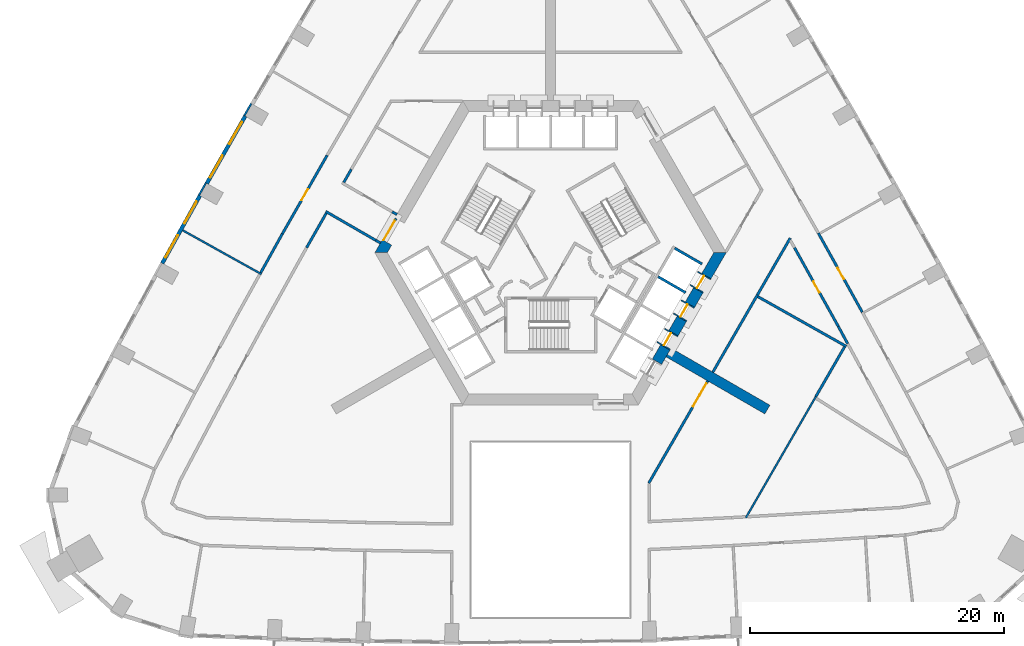
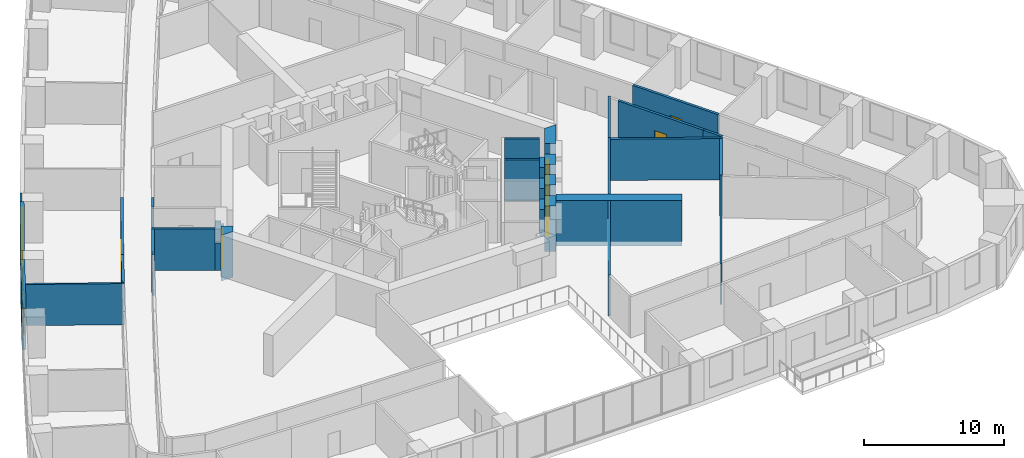
# One storey, part 7 of 15: 33 walls, 9 doors, 4 windows, 13 openings.
"""IFC4 building model written with IfcOpenShell, lengths in metres."""

from ifc_helpers import new_model, si_unit, direction, frame, frame_2d, origin, place, context, subcontext, project, spatial, polyline, rectangle, outline, extrude, material, layer, layer_set, type_object, element, fill, save


model = new_model("IFC4")

# Units and contexts
model_context = context("Model", 3, precision=1e-05, world=origin(), true_north=direction((0.0, 1.0)))
body_context = subcontext(model_context, "Body", "Model", "MODEL_VIEW")
ifc_project = project(units=[si_unit("LENGTHUNIT", "METRE"), si_unit("AREAUNIT", "SQUARE_METRE"), si_unit("VOLUMEUNIT", "CUBIC_METRE"), si_unit("PLANEANGLEUNIT", "RADIAN"), si_unit("MASSUNIT", "GRAM", prefix="KILO")], contexts=[model_context])

# Site, building, storey
site_placement = place(None, origin())
site = spatial("IfcSite", under=ifc_project, at=site_placement, CompositionType="ELEMENT")
building_placement = place(site_placement, origin())
building = spatial("IfcBuilding", under=site, at=building_placement, Name="Entoto Arch Interchange Tower", CompositionType="ELEMENT")
storey_placement = place(building_placement, frame((0.0, 0.0, 128.60009765625)))
storey = spatial("IfcBuildingStorey", under=building, at=storey_placement, Name="L28", CompositionType="ELEMENT", Elevation=128.60009765625)

# Wall
ifc_material_1 = material(Name="Concrete C60/75", Category="concrete")
ifc_layer_1 = layer(ifc_material_1, 0.800048828125)
ifc_layer_set_1 = layer_set([ifc_layer_1], Name="Concrete C60/75")
wall_type_1 = type_object("IfcWallType", Name="Buttress wall 800 C60/75", PredefinedType="SHEAR", material=ifc_layer_set_1)
wall_1_placement = place(storey_placement, frame((9.31005859375, -5.375, -0.400146484375), z_axis=(0.0, 0.0, 1.0), x_axis=(0.866017533419, -0.500013631625, 0.0)))
element("IfcWall", 1, at=wall_1_placement, inside=storey, type_object=wall_type_1, Name="Buttress wall SE L28", PredefinedType="SHEAR", context=body_context, shape_type="SweptSolid", body=[
    extrude(rectangle(XDim=8.999755859375, YDim=0.800048828125, at=frame_2d((4.5, 0.0))), origin(), (0.0, 0.0, 1.0), 4.0),
])

# Wall, opening, door
ifc_material_2 = material(Name="Reinforced concrete C40/50", Category="concrete")
ifc_layer_2 = layer(ifc_material_2, 0.199951171875)
ifc_layer_set_2 = layer_set([ifc_layer_2], Name="Reinforced concrete C40/50")
wall_type_2 = type_object("IfcWallType", Name="CORE GAP INFILL WALL", PredefinedType="PARTITIONING", material=ifc_layer_set_2)
wall_2_placement = place(storey_placement, frame((-12.179931640625, 5.201904296875, 0.0), z_axis=(0.0, 0.0, 1.0), x_axis=(-0.50002537861, -0.866010750942, 0.0)))
wall_2 = element("IfcWall", 2, at=wall_2_placement, inside=storey, type_object=wall_type_2, Name="wall:L28:gap3", PredefinedType="PARTITIONING", context=body_context, shape_type="SweptSolid", body=[
    extrude(rectangle(XDim=2.0, YDim=0.199951171875, at=frame_2d((1.0, 0.0))), origin(), (0.0, 0.0, 1.0), 2.39990234375),
])
opening_1_placement = place(wall_2_placement, frame((0.18994140625, 0.0, 0.0)))
opening_1 = element("IfcOpeningElement", 3, at=opening_1_placement, cuts=wall_2, Name="Opening L28-D93", PredefinedType="OPENING", context=body_context, shape_type="SweptSolid", body=[
    extrude(rectangle(XDim=1.800048828125, YDim=2.10009765625, at=frame_2d((0.89990234375, 1.050048828125))), frame((0.0, 0.10986328125, 0.0), z_axis=(0.0, -1.0, 0.0), x_axis=(1.0, 0.0, 0.0)), (0.0, 0.0, 1.0), 0.219970703125),
])
ifc_material_3 = material(Name="Fire-rated Steel S235 door and frame", Category="steel")
door_type_1 = type_object("IfcDoorType", Name="DOOR FD-18 1800x2100", OperationType="DOUBLE_DOOR_SINGLE_SWING", PredefinedType="DOOR", material=ifc_material_3)
door_1_placement = place(opening_1_placement, origin())
door_1 = element("IfcDoor", 4, at=door_1_placement, inside=storey, type_object=door_type_1, Name="door:L28:gap3", OperationType="DOUBLE_DOOR_SINGLE_SWING", OverallHeight=2.10009765625, OverallWidth=1.800048828125, PredefinedType="DOOR", context=body_context, shape_type="SweptSolid", body=[
    extrude(rectangle(XDim=1.800048828125, YDim=2.10009765625, at=frame_2d((0.89990234375, 1.050048828125))), frame((0.0, 0.02490234375, 0.0), z_axis=(0.0, -1.0, 0.0), x_axis=(1.0, 0.0, 0.0)), (0.0, 0.0, 1.0), 0.050048828125),
])
fill(opening_1, door_1)

# Walls
ifc_layer_3 = layer(ifc_material_1, 0.85009765625)
ifc_layer_set_3 = layer_set([ifc_layer_3], Name="Concrete C60/75")
wall_type_3 = type_object("IfcWallType", Name="Core wall 850 C60/75", PredefinedType="SHEAR", material=ifc_layer_set_3)
wall_3_placement = place(storey_placement, frame((0.0, 0.0, -0.400146484375)))
element("IfcWall", 5, at=wall_3_placement, inside=storey, type_object=wall_type_3, Name="Core wall NW L28", PredefinedType="SHEAR", context=body_context, shape_type="SweptSolid", body=[
    extrude(outline(polyline([(-12.531005859375, 3.094970703125), (-13.26708984375, 3.52001953125), (-13.85595703125, 2.5), (-12.875, 2.5), (-12.531005859375, 3.094970703125)])), origin(), (0.0, 0.0, 1.0), 4.0),
])
wall_4_placement = place(storey_placement, frame((0.0, 0.0, -0.400146484375)))
element("IfcWall", 6, at=wall_4_placement, inside=storey, type_object=wall_type_3, Name="Core wall SE L28", PredefinedType="SHEAR", context=body_context, shape_type="SweptSolid", body=[
    extrude(outline(polyline([(9.4169921875, -5.18896484375), (8.680908203125, -4.763916015625), (8.031005859375, -5.888916015625), (8.76708984375, -6.31396484375), (9.4169921875, -5.18896484375)])), origin(), (0.0, 0.0, 1.0), 4.0),
])
wall_5_placement = place(storey_placement, frame((0.0, 0.0, -0.400146484375)))
element("IfcWall", 7, at=wall_5_placement, inside=storey, type_object=wall_type_3, Name="Core wall SE L28", PredefinedType="SHEAR", context=body_context, shape_type="SweptSolid", body=[
    extrude(outline(polyline([(10.717041015625, -2.93701171875), (9.98095703125, -2.511962890625), (9.3310546875, -3.637939453125), (10.06689453125, -4.06298828125), (10.717041015625, -2.93701171875)])), origin(), (0.0, 0.0, 1.0), 4.0),
])
wall_6_placement = place(storey_placement, frame((0.0, 0.0, -0.400146484375)))
element("IfcWall", 8, at=wall_6_placement, inside=storey, type_object=wall_type_3, Name="Core wall SE L28", PredefinedType="SHEAR", context=body_context, shape_type="SweptSolid", body=[
    extrude(outline(polyline([(12.01708984375, -0.68603515625), (11.281005859375, -0.260986328125), (10.631103515625, -1.385986328125), (11.366943359375, -1.81103515625), (12.01708984375, -0.68603515625)])), origin(), (0.0, 0.0, 1.0), 4.0),
])
wall_7_placement = place(storey_placement, frame((0.0, 0.0, -0.400146484375)))
element("IfcWall", 9, at=wall_7_placement, inside=storey, type_object=wall_type_3, Name="Core wall SE L28", PredefinedType="SHEAR", context=body_context, shape_type="SweptSolid", body=[
    extrude(outline(polyline([(11.930908203125, 0.864990234375), (12.6669921875, 0.43994140625), (13.85595703125, 2.5), (12.875, 2.5), (11.930908203125, 0.864990234375)])), origin(), (0.0, 0.0, 1.0), 4.0),
])

# Wall, opening, door
ifc_material_4 = material(Name="Concrete C40/50", Category="concrete")
ifc_layer_4 = layer(ifc_material_4, 1.199951171875)
ifc_layer_set_4 = layer_set([ifc_layer_4], Name="Concrete C40/50")
wall_type_4 = type_object("IfcWallType", Name="LIFT LANDING INFILL WALL", PredefinedType="STANDARD", material=ifc_layer_set_4)
wall_8_placement = place(storey_placement, frame((8.89794921875, -4.888916015625, 0.0), z_axis=(0.0, 0.0, 1.0), x_axis=(0.500036693733, 0.866004217611, 0.0)))
wall_8 = element("IfcWall", 10, at=wall_8_placement, inside=storey, type_object=wall_type_4, Name="Lift landing infill wall LR6 L28", PredefinedType="STANDARD", context=body_context, shape_type="SweptSolid", body=[
    extrude(rectangle(XDim=1.30029296875, YDim=1.199951171875, at=frame_2d((0.650146484375, 0.0))), origin(), (0.0, 0.0, 1.0), 2.39990234375),
])
opening_2_placement = place(wall_8_placement, frame((0.10009765625, 0.0, 0.0)))
opening_2 = element("IfcOpeningElement", 11, at=opening_2_placement, cuts=wall_8, Name="Opening LD-LR6-L28", PredefinedType="OPENING", context=body_context, shape_type="SweptSolid", body=[
    extrude(rectangle(XDim=1.10009765625, YDim=2.300048828125, at=frame_2d((0.550048828125, 1.14990234375))), frame((0.0, 0.60986328125, 0.0), z_axis=(0.0, -1.0, 0.0), x_axis=(1.0, 0.0, 0.0)), (0.0, 0.0, 1.0), 1.219970703125),
])
ifc_material_5 = material(Name="Stainless steel 1.4301 panels", Category="steel")
door_type_2 = type_object("IfcDoorType", Name="LIFT LANDING DOOR LD2 1100x2300", OperationType="SLIDING_TO_LEFT", PredefinedType="DOOR", material=ifc_material_5)
door_2_placement = place(opening_2_placement, origin())
door_2 = element("IfcDoor", 12, at=door_2_placement, inside=storey, type_object=door_type_2, Name="Lift landing door LR6 L28", OperationType="SLIDING_TO_LEFT", OverallHeight=2.300048828125, OverallWidth=1.10009765625, PredefinedType="DOOR", context=body_context, shape_type="SweptSolid", body=[
    extrude(rectangle(XDim=1.10009765625, YDim=2.300048828125, at=frame_2d((0.550048828125, 1.14990234375))), frame((0.0, 0.02490234375, 0.0), z_axis=(0.0, -1.0, 0.0), x_axis=(1.0, 0.0, 0.0)), (0.0, 0.0, 1.0), 0.050048828125),
])
fill(opening_2, door_2)

wall_9_placement = place(storey_placement, frame((10.197998046875, -2.636962890625, 0.0), z_axis=(0.0, 0.0, 1.0), x_axis=(0.49989585183, 0.866085525409, 0.0)))
wall_9 = element("IfcWall", 13, at=wall_9_placement, inside=storey, type_object=wall_type_4, Name="Lift landing infill wall LR7 L28", PredefinedType="STANDARD", context=body_context, shape_type="SweptSolid", body=[
    extrude(rectangle(XDim=1.300048828125, YDim=1.199951171875, at=frame_2d((0.64990234375, 0.0))), origin(), (0.0, 0.0, 1.0), 2.39990234375),
])
opening_3_placement = place(wall_9_placement, frame((0.10009765625, 0.0, 0.0)))
opening_3 = element("IfcOpeningElement", 14, at=opening_3_placement, cuts=wall_9, Name="Opening LD-LR7-L28", PredefinedType="OPENING", context=body_context, shape_type="SweptSolid", body=[
    extrude(rectangle(XDim=1.10009765625, YDim=2.300048828125, at=frame_2d((0.550048828125, 1.14990234375))), frame((0.0, 0.60986328125, 0.0), z_axis=(0.0, -1.0, 0.0), x_axis=(1.0, 0.0, 0.0)), (0.0, 0.0, 1.0), 1.219970703125),
])
door_3_placement = place(opening_3_placement, origin())
door_3 = element("IfcDoor", 15, at=door_3_placement, inside=storey, type_object=door_type_2, Name="Lift landing door LR7 L28", OperationType="SLIDING_TO_LEFT", OverallHeight=2.300048828125, OverallWidth=1.10009765625, PredefinedType="DOOR", context=body_context, shape_type="SweptSolid", body=[
    extrude(rectangle(XDim=1.10009765625, YDim=2.300048828125, at=frame_2d((0.550048828125, 1.14990234375))), frame((0.0, 0.02490234375, 0.0), z_axis=(0.0, -1.0, 0.0), x_axis=(1.0, 0.0, 0.0)), (0.0, 0.0, 1.0), 0.050048828125),
])
fill(opening_3, door_3)

wall_10_placement = place(storey_placement, frame((11.498046875, -0.385009765625, 0.0), z_axis=(0.0, 0.0, 1.0), x_axis=(0.500221244143, 0.865897630733, 0.0)))
wall_10 = element("IfcWall", 16, at=wall_10_placement, inside=storey, type_object=wall_type_4, Name="Lift landing infill wall LR8 L28", PredefinedType="STANDARD", context=body_context, shape_type="SweptSolid", body=[
    extrude(rectangle(XDim=1.29931640625, YDim=1.199951171875, at=frame_2d((0.649658203125, 0.0))), origin(), (0.0, 0.0, 1.0), 2.39990234375),
])
opening_4_placement = place(wall_10_placement, frame((0.10009765625, 0.0, 0.0)))
opening_4 = element("IfcOpeningElement", 17, at=opening_4_placement, cuts=wall_10, Name="Opening LD-LR8-L28", PredefinedType="OPENING", context=body_context, shape_type="SweptSolid", body=[
    extrude(rectangle(XDim=1.10009765625, YDim=2.300048828125, at=frame_2d((0.550048828125, 1.14990234375))), frame((0.0, 0.60986328125, 0.0), z_axis=(0.0, -1.0, 0.0), x_axis=(1.0, 0.0, 0.0)), (0.0, 0.0, 1.0), 1.219970703125),
])
door_4_placement = place(opening_4_placement, origin())
door_4 = element("IfcDoor", 18, at=door_4_placement, inside=storey, type_object=door_type_2, Name="Lift landing door LR8 L28", OperationType="SLIDING_TO_LEFT", OverallHeight=2.300048828125, OverallWidth=1.10009765625, PredefinedType="DOOR", context=body_context, shape_type="SweptSolid", body=[
    extrude(rectangle(XDim=1.10009765625, YDim=2.300048828125, at=frame_2d((0.550048828125, 1.14990234375))), frame((0.0, 0.02490234375, 0.0), z_axis=(0.0, -1.0, 0.0), x_axis=(1.0, 0.0, 0.0)), (0.0, 0.0, 1.0), 0.050048828125),
])
fill(opening_4, door_4)

# Walls
ifc_layer_5 = layer(ifc_material_4, 0.199951171875)
ifc_layer_set_5 = layer_set([ifc_layer_5], Name="Concrete C40/50")
wall_type_5 = type_object("IfcWallType", Name="LIFT SHAFT WALL 200", PredefinedType="STANDARD", material=ifc_layer_set_5)
wall_11_placement = place(storey_placement, frame((8.488037109375, 0.60205078125, 0.0), z_axis=(0.0, 0.0, 1.0), x_axis=(0.866022959057, -0.500004234368, 0.0)))
element("IfcWall", 19, at=wall_11_placement, inside=storey, type_object=wall_type_5, Name="Shaft wall SE3 cross 4", PredefinedType="STANDARD", context=body_context, shape_type="SweptSolid", body=[
    extrude(rectangle(XDim=2.5, YDim=0.199951171875, at=frame_2d((1.25, 0.0))), origin(), (0.0, 0.0, 1.0), 3.599853515625),
])
wall_12_placement = place(storey_placement, frame((9.7880859375, 2.85302734375, 0.0), z_axis=(0.0, 0.0, 1.0), x_axis=(0.865998541277, -0.500046524342, 0.0)))
element("IfcWall", 20, at=wall_12_placement, inside=storey, type_object=wall_type_5, Name="Shaft wall SE3 cross 5", PredefinedType="STANDARD", context=body_context, shape_type="SweptSolid", body=[
    extrude(rectangle(XDim=2.499755859375, YDim=0.199951171875, at=frame_2d((1.25, 0.0))), origin(), (0.0, 0.0, 1.0), 3.599853515625),
])
ifc_material_6 = material(Name="Gypsum board partition on steel studs", Category="steel")
ifc_layer_6 = layer(ifc_material_6, 0.14990234375)
ifc_layer_set_6 = layer_set([ifc_layer_6], Name="Gypsum board partition on steel studs")
wall_type_6 = type_object("IfcWallType", Name="PARTITION 150", PredefinedType="PARTITIONING", material=ifc_layer_set_6)
wall_13_placement = place(storey_placement, frame((20.924072265625, -8.85791015625, 0.0), z_axis=(0.0, 0.0, 1.0), x_axis=(-0.499996828157, -0.866027235041, 0.0)))
element("IfcWall", 21, at=wall_13_placement, inside=storey, type_object=wall_type_6, Name="wall:L28:p130", PredefinedType="PARTITIONING", context=body_context, shape_type="SweptSolid", body=[
    extrude(rectangle(XDim=11.0400390625, YDim=0.14990234375, at=frame_2d((5.52001953125, 0.0))), origin(), (0.0, 0.0, 1.0), 3.599853515625),
])
wall_14_placement = place(storey_placement, frame((-22.80810546875, 0.80810546875, 0.0), z_axis=(0.0, 0.0, 1.0), x_axis=(-0.873839159938, 0.486215099066, 0.0)))
element("IfcWall", 22, at=wall_14_placement, inside=storey, type_object=wall_type_6, Name="wall:L28:p148", PredefinedType="PARTITIONING", context=body_context, shape_type="SweptSolid", body=[
    extrude(rectangle(XDim=7.099609375, YDim=0.14990234375, at=frame_2d((3.5498046875, 0.0))), origin(), (0.0, 0.0, 1.0), 3.599853515625),
])
ifc_layer_7 = layer(ifc_material_6, 0.199951171875)
ifc_layer_set_7 = layer_set([ifc_layer_7], Name="Gypsum board partition on steel studs")
wall_type_7 = type_object("IfcWallType", Name="PARTITION 200", PredefinedType="PARTITIONING", material=ifc_layer_set_7)
wall_15_placement = place(storey_placement, frame((-15.717041015625, 9.074951171875, 0.0), z_axis=(0.0, 0.0, 1.0), x_axis=(-0.495695496657, -0.868496387208, 0.0)))
element("IfcWall", 23, at=wall_15_placement, inside=storey, type_object=wall_type_7, Name="wall:L28:p003", PredefinedType="PARTITIONING", context=body_context, shape_type="SweptSolid", body=[
    extrude(rectangle(XDim=1.18603515625, YDim=0.199951171875, at=frame_2d((0.593017578125, 0.0))), origin(), (0.0, 0.0, 1.0), 3.599853515625),
])
wall_16_placement = place(storey_placement, frame((23.43701171875, -4.676025390625, 0.0), z_axis=(0.0, 0.0, 1.0), x_axis=(-0.47686467088, 0.878976726465, 0.0)))
element("IfcWall", 24, at=wall_16_placement, inside=storey, type_object=wall_type_7, Name="wall:L28:p022", PredefinedType="PARTITIONING", context=body_context, shape_type="SweptSolid", body=[
    extrude(rectangle(XDim=1.54150390625, YDim=0.199951171875, at=frame_2d((0.770751953125, 0.0))), origin(), (0.0, 0.0, 1.0), 3.599853515625),
])

# Wall, opening, door
wall_17_placement = place(storey_placement, frame((22.701904296875, -3.321044921875, 0.0), z_axis=(0.0, 0.0, 1.0), x_axis=(-0.486304341235, 0.873789498504, 0.0)))
wall_17 = element("IfcWall", 25, at=wall_17_placement, inside=storey, type_object=wall_type_7, Name="wall:L28:p023", PredefinedType="PARTITIONING", context=body_context, shape_type="SweptSolid", body=[
    extrude(rectangle(XDim=7.11279296875, YDim=0.199951171875, at=frame_2d((3.556396484375, 0.0))), origin(), (0.0, 0.0, 1.0), 3.599853515625),
])
opening_5_placement = place(wall_17_placement, frame((3.056884765625, 0.0, 0.0)))
opening_5 = element("IfcOpeningElement", 26, at=opening_5_placement, cuts=wall_17, Name="Opening L28-D23", PredefinedType="OPENING", context=body_context, shape_type="SweptSolid", body=[
    extrude(rectangle(XDim=1.0, YDim=2.10009765625, at=frame_2d((0.5, 1.050048828125))), frame((0.0, 0.10986328125, 0.0), z_axis=(0.0, -1.0, 0.0), x_axis=(1.0, 0.0, 0.0)), (0.0, 0.0, 1.0), 0.219970703125),
])
ifc_material_7 = material(Name="Timber door leaf in Steel S235 frame", Category="steel")
door_type_3 = type_object("IfcDoorType", Name="DOOR DS-10 1000x2100", OperationType="SINGLE_SWING_LEFT", PredefinedType="DOOR", material=ifc_material_7)
door_5_placement = place(opening_5_placement, origin())
door_5 = element("IfcDoor", 27, at=door_5_placement, inside=storey, type_object=door_type_3, Name="door:L28:23", OperationType="SINGLE_SWING_LEFT", OverallHeight=2.10009765625, OverallWidth=1.0, PredefinedType="DOOR", context=body_context, shape_type="SweptSolid", body=[
    extrude(rectangle(XDim=1.0, YDim=2.10009765625, at=frame_2d((0.5, 1.050048828125))), frame((0.0, 0.02490234375, 0.0), z_axis=(0.0, -1.0, 0.0), x_axis=(1.0, 0.0, 0.0)), (0.0, 0.0, 1.0), 0.050048828125),
])
fill(opening_5, door_5)

# Walls
wall_18_placement = place(storey_placement, frame((-13.4169921875, 3.260009765625, 0.0), z_axis=(0.0, 0.0, 1.0), x_axis=(-0.865544229481, 0.500832493767, 0.0)))
element("IfcWall", 28, at=wall_18_placement, inside=storey, type_object=wall_type_7, Name="wall:L28:p032", PredefinedType="PARTITIONING", context=body_context, shape_type="SweptSolid", body=[
    extrude(rectangle(XDim=0.425048828125, YDim=0.199951171875, at=frame_2d((0.21240234375, 0.0))), origin(), (0.0, 0.0, 1.0), 2.39990234375),
])
wall_19_placement = place(storey_placement, frame((-17.69189453125, 5.613037109375, 0.0), z_axis=(0.0, 0.0, 1.0), x_axis=(-0.495492055461, -0.868612469963, 0.0)))
element("IfcWall", 29, at=wall_19_placement, inside=storey, type_object=wall_type_7, Name="wall:L28:p033", PredefinedType="PARTITIONING", context=body_context, shape_type="SweptSolid", body=[
    extrude(rectangle(XDim=3.13037109375, YDim=0.199951171875, at=frame_2d((1.565185546875, 0.0))), origin(), (0.0, 0.0, 1.0), 3.599853515625),
])

# Wall, opening, door
wall_20_placement = place(storey_placement, frame((21.1240234375, 4.0400390625, 0.0), z_axis=(0.0, 0.0, 1.0), x_axis=(0.486229558972, -0.873831114107, 0.0)))
wall_20 = element("IfcWall", 30, at=wall_20_placement, inside=storey, type_object=wall_type_7, Name="wall:L28:p053", PredefinedType="PARTITIONING", context=body_context, shape_type="SweptSolid", body=[
    extrude(rectangle(XDim=7.136474609375, YDim=0.199951171875, at=frame_2d((3.568359375, 0.0))), origin(), (0.0, 0.0, 1.0), 3.599853515625),
])
opening_6_placement = place(wall_20_placement, frame((3.14306640625, 0.0, 0.0)))
opening_6 = element("IfcOpeningElement", 31, at=opening_6_placement, cuts=wall_20, Name="Opening L28-D07", PredefinedType="OPENING", context=body_context, shape_type="SweptSolid", body=[
    extrude(rectangle(XDim=1.0, YDim=2.10009765625, at=frame_2d((0.5, 1.050048828125))), frame((0.0, 0.10986328125, 0.0), z_axis=(0.0, -1.0, 0.0), x_axis=(1.0, 0.0, 0.0)), (0.0, 0.0, 1.0), 0.219970703125),
])
door_6_placement = place(opening_6_placement, origin())
door_6 = element("IfcDoor", 32, at=door_6_placement, inside=storey, type_object=door_type_3, Name="door:L28:07", OperationType="SINGLE_SWING_RIGHT", OverallHeight=2.10009765625, OverallWidth=1.0, PredefinedType="DOOR", context=body_context, shape_type="SweptSolid", body=[
    extrude(rectangle(XDim=1.0, YDim=2.10009765625, at=frame_2d((0.5, 1.050048828125))), frame((0.0, 0.02490234375, 0.0), z_axis=(0.0, -1.0, 0.0), x_axis=(1.0, 0.0, 0.0)), (0.0, 0.0, 1.0), 0.050048828125),
])
fill(opening_6, door_6)

# Wall
wall_21_placement = place(storey_placement, frame((-22.85888671875, 0.922119140625, 0.0), z_axis=(0.0, 0.0, 1.0), x_axis=(0.486390484578, 0.873741550181, 0.0)))
element("IfcWall", 33, at=wall_21_placement, inside=storey, type_object=wall_type_7, Name="wall:L28:p071", PredefinedType="PARTITIONING", context=body_context, shape_type="SweptSolid", body=[
    extrude(rectangle(XDim=3.492919921875, YDim=0.199951171875, at=frame_2d((1.74658203125, 0.0))), origin(), (0.0, 0.0, 1.0), 3.599853515625),
])

# Wall, opening, door
wall_22_placement = place(storey_placement, frame((-21.159912109375, 3.97412109375, 0.0), z_axis=(0.0, 0.0, 1.0), x_axis=(0.495450054309, 0.868636427791, 0.0)))
wall_22 = element("IfcWall", 34, at=wall_22_placement, inside=storey, type_object=wall_type_7, Name="wall:L28:p072", PredefinedType="PARTITIONING", context=body_context, shape_type="SweptSolid", body=[
    extrude(rectangle(XDim=7.138671875, YDim=0.199951171875, at=frame_2d((3.5693359375, 0.0))), origin(), (0.0, 0.0, 1.0), 3.599853515625),
])
opening_7_placement = place(wall_22_placement, frame((3.069091796875, 0.0, 0.0)))
opening_7 = element("IfcOpeningElement", 35, at=opening_7_placement, cuts=wall_22, Name="Opening L28-D16", PredefinedType="OPENING", context=body_context, shape_type="SweptSolid", body=[
    extrude(rectangle(XDim=1.0, YDim=2.10009765625, at=frame_2d((0.5, 1.050048828125))), frame((0.0, 0.10986328125, 0.0), z_axis=(0.0, -1.0, 0.0), x_axis=(1.0, 0.0, 0.0)), (0.0, 0.0, 1.0), 0.219970703125),
])
door_7_placement = place(opening_7_placement, origin())
door_7 = element("IfcDoor", 36, at=door_7_placement, inside=storey, type_object=door_type_3, Name="door:L28:16", OperationType="SINGLE_SWING_LEFT", OverallHeight=2.10009765625, OverallWidth=1.0, PredefinedType="DOOR", context=body_context, shape_type="SweptSolid", body=[
    extrude(rectangle(XDim=1.0, YDim=2.10009765625, at=frame_2d((0.5, 1.050048828125))), frame((0.0, 0.02490234375, 0.0), z_axis=(0.0, -1.0, 0.0), x_axis=(1.0, 0.0, 0.0)), (0.0, 0.0, 1.0), 0.050048828125),
])
fill(opening_7, door_7)

# Walls
wall_23_placement = place(storey_placement, frame((16.320068359375, -0.83203125, 0.0), z_axis=(0.0, 0.0, 1.0), x_axis=(-0.499951642806, -0.866053321023, 0.0)))
element("IfcWall", 37, at=wall_23_placement, inside=storey, type_object=wall_type_7, Name="wall:L28:p122", PredefinedType="PARTITIONING", context=body_context, shape_type="SweptSolid", body=[
    extrude(rectangle(XDim=7.038818359375, YDim=0.199951171875, at=frame_2d((3.51953125, 0.0))), origin(), (0.0, 0.0, 1.0), 3.599853515625),
])
wall_24_placement = place(storey_placement, frame((18.909912109375, 3.653076171875, 0.0), z_axis=(0.0, 0.0, 1.0), x_axis=(-0.500052967229, -0.865994820981, 0.0)))
element("IfcWall", 38, at=wall_24_placement, inside=storey, type_object=wall_type_7, Name="wall:L28:p123", PredefinedType="PARTITIONING", context=body_context, shape_type="SweptSolid", body=[
    extrude(rectangle(XDim=5.17919921875, YDim=0.199951171875, at=frame_2d((2.589599609375, 0.0))), origin(), (0.0, 0.0, 1.0), 3.599853515625),
])
wall_25_placement = place(storey_placement, frame((16.27001953125, -0.9189453125, 0.0), z_axis=(0.0, 0.0, 1.0), x_axis=(0.871308980511, -0.490734816863, 0.0)))
element("IfcWall", 39, at=wall_25_placement, inside=storey, type_object=wall_type_7, Name="wall:L28:p129", PredefinedType="PARTITIONING", context=body_context, shape_type="SweptSolid", body=[
    extrude(rectangle(XDim=8.100341796875, YDim=0.199951171875, at=frame_2d((4.05029296875, 0.0))), origin(), (0.0, 0.0, 1.0), 3.599853515625),
])
wall_26_placement = place(storey_placement, frame((23.19091796875, -4.931884765625, 0.0), z_axis=(0.0, 0.0, 1.0), x_axis=(-0.500025458316, -0.86601070492, 0.0)))
element("IfcWall", 40, at=wall_26_placement, inside=storey, type_object=wall_type_7, Name="wall:L28:p131", PredefinedType="PARTITIONING", context=body_context, shape_type="SweptSolid", body=[
    extrude(rectangle(XDim=4.533447265625, YDim=0.199951171875, at=frame_2d((2.2666015625, 0.0))), origin(), (0.0, 0.0, 1.0), 3.599853515625),
])

# Wall, openings, doors
wall_27_placement = place(storey_placement, frame((12.40087890625, -7.62109375, 0.0), z_axis=(0.0, 0.0, 1.0), x_axis=(-0.499983724212, -0.866034800411, 0.0)))
wall_27 = element("IfcWall", 41, at=wall_27_placement, inside=storey, type_object=wall_type_7, Name="wall:L28:p122", PredefinedType="PARTITIONING", context=body_context, shape_type="SweptSolid", body=[
    extrude(rectangle(XDim=9.302001953125, YDim=0.199951171875, at=frame_2d((4.65087890625, 0.0))), origin(), (0.0, 0.0, 1.0), 3.599853515625),
])
opening_8_placement = place(wall_27_placement, frame((0.23095703125, 0.0, 0.0)))
opening_8 = element("IfcOpeningElement", 42, at=opening_8_placement, cuts=wall_27, Name="Opening L28-D22", PredefinedType="OPENING", context=body_context, shape_type="SweptSolid", body=[
    extrude(rectangle(XDim=1.0, YDim=2.10009765625, at=frame_2d((0.5, 1.050048828125))), frame((0.0, 0.10986328125, 0.0), z_axis=(0.0, -1.0, 0.0), x_axis=(1.0, 0.0, 0.0)), (0.0, 0.0, 1.0), 0.219970703125),
])
opening_9_placement = place(wall_27_placement, frame((1.3310546875, 0.0, 0.0)))
opening_9 = element("IfcOpeningElement", 43, at=opening_9_placement, cuts=wall_27, Name="Opening L28-D39", PredefinedType="OPENING", context=body_context, shape_type="SweptSolid", body=[
    extrude(rectangle(XDim=1.0, YDim=2.10009765625, at=frame_2d((0.5, 1.050048828125))), frame((0.0, 0.10986328125, 0.0), z_axis=(0.0, -1.0, 0.0), x_axis=(1.0, 0.0, 0.0)), (0.0, 0.0, 1.0), 0.219970703125),
])
door_8_placement = place(opening_8_placement, origin())
door_8 = element("IfcDoor", 44, at=door_8_placement, inside=storey, type_object=door_type_3, Name="door:L28:22", OperationType="SINGLE_SWING_LEFT", OverallHeight=2.10009765625, OverallWidth=1.0, PredefinedType="DOOR", context=body_context, shape_type="SweptSolid", body=[
    extrude(rectangle(XDim=1.0, YDim=2.10009765625, at=frame_2d((0.5, 1.050048828125))), frame((0.0, 0.02490234375, 0.0), z_axis=(0.0, -1.0, 0.0), x_axis=(1.0, 0.0, 0.0)), (0.0, 0.0, 1.0), 0.050048828125),
])
fill(opening_8, door_8)
door_9_placement = place(opening_9_placement, origin())
door_9 = element("IfcDoor", 45, at=door_9_placement, inside=storey, type_object=door_type_3, Name="door:L28:39", OperationType="SINGLE_SWING_RIGHT", OverallHeight=2.10009765625, OverallWidth=1.0, PredefinedType="DOOR", context=body_context, shape_type="SweptSolid", body=[
    extrude(rectangle(XDim=1.0, YDim=2.10009765625, at=frame_2d((0.5, 1.050048828125))), frame((0.0, 0.02490234375, 0.0), z_axis=(0.0, -1.0, 0.0), x_axis=(1.0, 0.0, 0.0)), (0.0, 0.0, 1.0), 0.050048828125),
])
fill(opening_9, door_9)

# Walls
wall_28_placement = place(storey_placement, frame((-12.485107421875, 5.72412109375, 0.0), z_axis=(0.0, 0.0, 1.0), x_axis=(0.866434177787, -0.499291313327, 0.0)))
element("IfcWall", 46, at=wall_28_placement, inside=storey, type_object=wall_type_7, Name="wall:L28:p004", PredefinedType="PARTITIONING", context=body_context, shape_type="SweptSolid", body=[
    extrude(rectangle(XDim=0.4248046875, YDim=0.199951171875, at=frame_2d((0.21240234375, 0.0))), origin(), (0.0, 0.0, 1.0), 2.39990234375),
])
wall_29_placement = place(storey_placement, frame((-13.784912109375, 3.472900390625, 0.0), z_axis=(0.0, 0.0, 1.0), x_axis=(-0.866081168121, 0.499903400895, 0.0)))
element("IfcWall", 47, at=wall_29_placement, inside=storey, type_object=wall_type_7, Name="wall:L28:p032", PredefinedType="PARTITIONING", context=body_context, shape_type="SweptSolid", body=[
    extrude(rectangle(XDim=4.55517578125, YDim=0.199951171875, at=frame_2d((2.277587890625, 0.0))), origin(), (0.0, 0.0, 1.0), 3.599853515625),
])

# Wall, openings, windows
ifc_material_8 = material(Name="Welded tuff (ignimbrite) cladding, warm buff", Category="masonry")
ifc_layer_8 = layer(ifc_material_8, 0.300048828125)
ifc_layer_set_8 = layer_set([ifc_layer_8], Name="Welded tuff (ignimbrite) cladding, warm buff")
wall_type_8 = type_object("IfcWallType", Name="STONE INFILL WALL 300", PredefinedType="STANDARD", material=ifc_layer_set_8)
wall_30_placement = place(storey_placement, frame((-24.0869140625, 13.27294921875, 0.0), z_axis=(0.0, 0.0, 1.0), x_axis=(-0.495472401298, -0.868623681206, 0.0)))
wall_30 = element("IfcWall", 48, at=wall_30_placement, inside=storey, type_object=wall_type_8, Name="Facade wall NW-05 L28", PredefinedType="STANDARD", context=body_context, shape_type="SweptSolid", body=[
    extrude(rectangle(XDim=6.115478515625, YDim=0.300048828125, at=frame_2d((3.0576171875, 0.0))), origin(), (0.0, 0.0, 1.0), 3.599853515625),
])
opening_10_placement = place(wall_30_placement, frame((0.529052734375, 0.0, 0.89990234375)))
opening_10 = element("IfcOpeningElement", 49, at=opening_10_placement, cuts=wall_30, Name="Opening WO-C", PredefinedType="OPENING", context=body_context, shape_type="SweptSolid", body=[
    extrude(rectangle(XDim=2.0, YDim=2.60009765625, at=frame_2d((1.0, 1.300048828125))), frame((0.0, 0.16015625, 0.0), z_axis=(0.0, -1.0, 0.0), x_axis=(1.0, 0.0, 0.0)), (0.0, 0.0, 1.0), 0.320068359375),
])
opening_11_placement = place(wall_30_placement, frame((3.5869140625, 0.0, 0.89990234375)))
opening_11 = element("IfcOpeningElement", 50, at=opening_11_placement, cuts=wall_30, Name="Opening WO-C", PredefinedType="OPENING", context=body_context, shape_type="SweptSolid", body=[
    extrude(rectangle(XDim=2.0, YDim=2.60009765625, at=frame_2d((1.0, 1.300048828125))), frame((0.0, 0.16015625, 0.0), z_axis=(0.0, -1.0, 0.0), x_axis=(1.0, 0.0, 0.0)), (0.0, 0.0, 1.0), 0.320068359375),
])
ifc_material_9 = material(Name="Clear glass, low-e double glazed", Category="glass")
window_type = type_object("IfcWindowType", Name="WINDOW WO-C 2000x2600", PartitioningType="DOUBLE_PANEL_VERTICAL", PredefinedType="WINDOW", material=ifc_material_9)
window_1_placement = place(opening_10_placement, origin())
window_1 = element("IfcWindow", 51, at=window_1_placement, inside=storey, type_object=window_type, Name="Window WO-C NW-05 L28", OverallHeight=2.60009765625, OverallWidth=2.0, PartitioningType="SINGLE_PANEL", PredefinedType="WINDOW", context=body_context, shape_type="SweptSolid", body=[
    extrude(rectangle(XDim=2.0, YDim=2.60009765625, at=frame_2d((1.0, 1.300048828125))), frame((0.0, 0.030029296875, 0.0), z_axis=(0.0, -1.0, 0.0), x_axis=(1.0, 0.0, 0.0)), (0.0, 0.0, 1.0), 0.06005859375),
])
fill(opening_10, window_1)
window_2_placement = place(opening_11_placement, origin())
window_2 = element("IfcWindow", 52, at=window_2_placement, inside=storey, type_object=window_type, Name="Window WO-C NW-05 L28", OverallHeight=2.60009765625, OverallWidth=2.0, PartitioningType="SINGLE_PANEL", PredefinedType="WINDOW", context=body_context, shape_type="SweptSolid", body=[
    extrude(rectangle(XDim=2.0, YDim=2.60009765625, at=frame_2d((1.0, 1.300048828125))), frame((0.0, 0.030029296875, 0.0), z_axis=(0.0, -1.0, 0.0), x_axis=(1.0, 0.0, 0.0)), (0.0, 0.0, 1.0), 0.06005859375),
])
fill(opening_11, window_2)

wall_31_placement = place(storey_placement, frame((-27.656005859375, 7.0048828125, 0.0), z_axis=(0.0, 0.0, 1.0), x_axis=(-0.486229342917, -0.873831234327, 0.0)))
wall_31 = element("IfcWall", 53, at=wall_31_placement, inside=storey, type_object=wall_type_8, Name="Facade wall NW-06 L28", PredefinedType="STANDARD", context=body_context, shape_type="SweptSolid", body=[
    extrude(rectangle(XDim=6.1142578125, YDim=0.300048828125, at=frame_2d((3.05712890625, 0.0))), origin(), (0.0, 0.0, 1.0), 3.599853515625),
])
opening_12_placement = place(wall_31_placement, frame((0.529052734375, 0.0, 0.89990234375)))
opening_12 = element("IfcOpeningElement", 54, at=opening_12_placement, cuts=wall_31, Name="Opening WO-C", PredefinedType="OPENING", context=body_context, shape_type="SweptSolid", body=[
    extrude(rectangle(XDim=2.0, YDim=2.60009765625, at=frame_2d((1.0, 1.300048828125))), frame((0.0, 0.16015625, 0.0), z_axis=(0.0, -1.0, 0.0), x_axis=(1.0, 0.0, 0.0)), (0.0, 0.0, 1.0), 0.320068359375),
])
opening_13_placement = place(wall_31_placement, frame((3.5859375, 0.0, 0.89990234375)))
opening_13 = element("IfcOpeningElement", 55, at=opening_13_placement, cuts=wall_31, Name="Opening WO-C", PredefinedType="OPENING", context=body_context, shape_type="SweptSolid", body=[
    extrude(rectangle(XDim=2.0, YDim=2.60009765625, at=frame_2d((1.0, 1.300048828125))), frame((0.0, 0.16015625, 0.0), z_axis=(0.0, -1.0, 0.0), x_axis=(1.0, 0.0, 0.0)), (0.0, 0.0, 1.0), 0.320068359375),
])
window_3_placement = place(opening_12_placement, origin())
window_3 = element("IfcWindow", 56, at=window_3_placement, inside=storey, type_object=window_type, Name="Window WO-C NW-06 L28", OverallHeight=2.60009765625, OverallWidth=2.0, PartitioningType="SINGLE_PANEL", PredefinedType="WINDOW", context=body_context, shape_type="SweptSolid", body=[
    extrude(rectangle(XDim=2.0, YDim=2.60009765625, at=frame_2d((1.0, 1.300048828125))), frame((0.0, 0.030029296875, 0.0), z_axis=(0.0, -1.0, 0.0), x_axis=(1.0, 0.0, 0.0)), (0.0, 0.0, 1.0), 0.06005859375),
])
fill(opening_12, window_3)
window_4_placement = place(opening_13_placement, origin())
window_4 = element("IfcWindow", 57, at=window_4_placement, inside=storey, type_object=window_type, Name="Window WO-C NW-06 L28", OverallHeight=2.60009765625, OverallWidth=2.0, PartitioningType="SINGLE_PANEL", PredefinedType="WINDOW", context=body_context, shape_type="SweptSolid", body=[
    extrude(rectangle(XDim=2.0, YDim=2.60009765625, at=frame_2d((1.0, 1.300048828125))), frame((0.0, 0.030029296875, 0.0), z_axis=(0.0, -1.0, 0.0), x_axis=(1.0, 0.0, 0.0)), (0.0, 0.0, 1.0), 0.06005859375),
])
fill(opening_13, window_4)

# Walls
ifc_layer_9 = layer(ifc_material_8, 0.14990234375)
ifc_layer_set_9 = layer_set([ifc_layer_9], Name="Welded tuff (ignimbrite) cladding, warm buff")
wall_type_9 = type_object("IfcWallType", Name="STONE PIER CLADDING 150", PredefinedType="STANDARD", material=ifc_layer_set_9)
wall_32_placement = place(storey_placement, frame((-23.60498046875, 14.263916015625, 0.0), z_axis=(0.0, 0.0, 1.0), x_axis=(-0.499933745558, -0.866063652425, 0.0)))
element("IfcWall", 58, at=wall_32_placement, inside=storey, type_object=wall_type_9, Name="Stone pier NW05 L28", PredefinedType="STANDARD", context=body_context, shape_type="SweptSolid", body=[
    extrude(rectangle(XDim=1.100341796875, YDim=0.14990234375, at=frame_2d((0.55029296875, 0.0))), origin(), (0.0, 0.0, 1.0), 3.599853515625),
])
wall_33_placement = place(storey_placement, frame((-27.18505859375, 8.0009765625, 0.0), z_axis=(0.0, 0.0, 1.0), x_axis=(-0.490008344094, -0.871717742574, 0.0)))
element("IfcWall", 59, at=wall_33_placement, inside=storey, type_object=wall_type_9, Name="Stone pier NW06 L28", PredefinedType="STANDARD", context=body_context, shape_type="SweptSolid", body=[
    extrude(rectangle(XDim=1.10009765625, YDim=0.14990234375, at=frame_2d((0.550048828125, 0.0))), origin(), (0.0, 0.0, 1.0), 3.599853515625),
])

save(model, "model.ifc")
